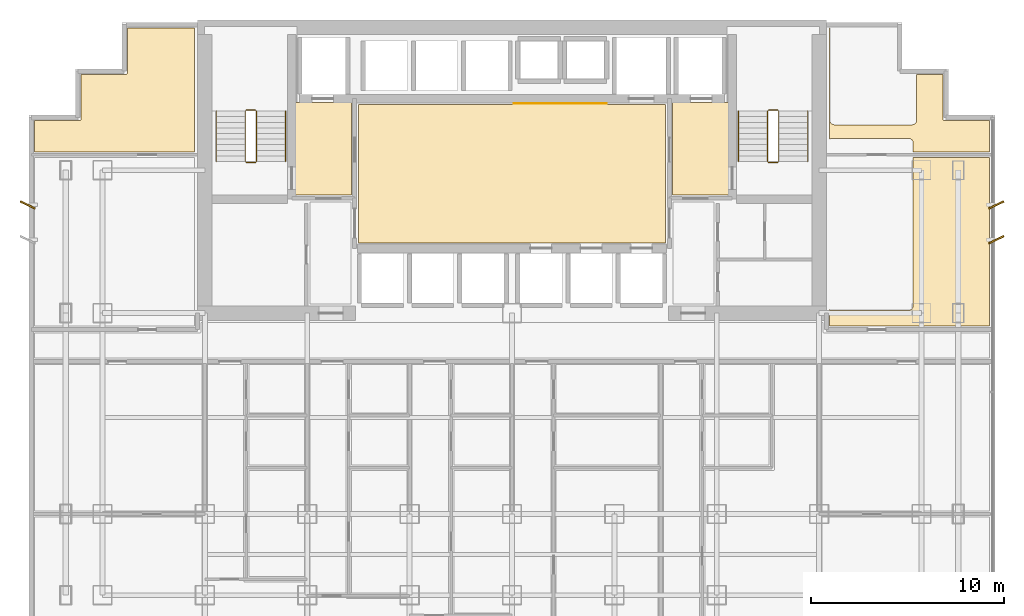
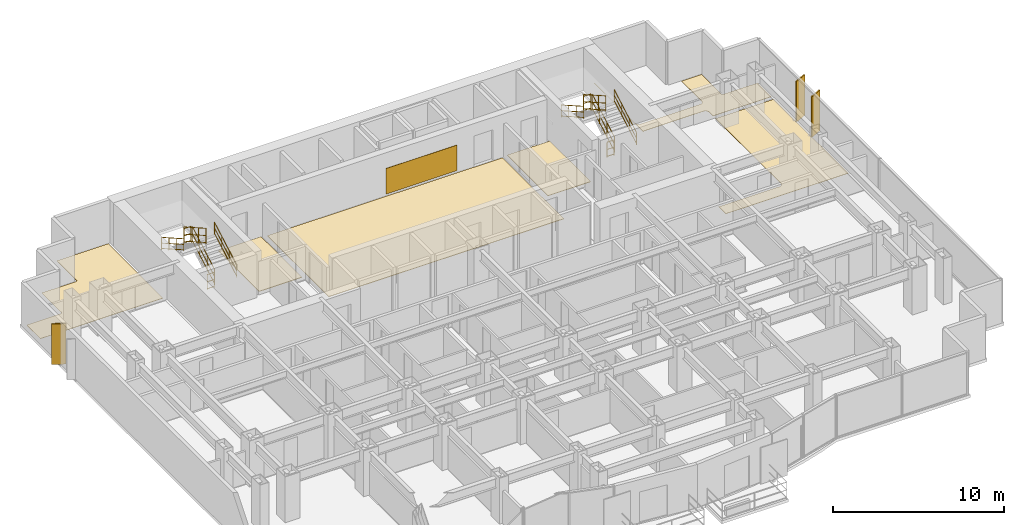
# One storey, part 12 of 12: 12 railings, 7 coverings, 3 shading devices.
"""IFC4 building model written with IfcOpenShell, lengths in metres."""

import ifcopenshell
import ifcopenshell.guid

model = None  # the IFC model being written
_history = None  # IfcOwnerHistory: only IFC2X3 demands one
_inside = {}  # id of a spatial element -> (the spatial element, [elements in it])
_under = {}  # id of a project, library or spatial element -> (it, [spatial elements below it])
_declared = {}  # id of a project -> (the project, [libraries it declares])
_typed = {}  # id of a type object -> (the type object, [elements of that type])
_made_of = {}  # id of a material, layer set ... -> (it, [elements and type objects made of it])


def new_model(schema):
    """Start an empty IFC model of exactly this schema.

    Asked for "IFC4X3", IfcOpenShell would pick the latest addendum, in which some entities
    have other attributes; the version numbers below select the first issue.
    IFC2X3 requires an IfcOwnerHistory on every rooted entity: one is made here for all.
    """
    global model, _history
    if schema == "IFC4X3":
        model = ifcopenshell.file(schema_version=(4, 3, 0, 0))
    else:
        model = ifcopenshell.file(schema=schema)
    _inside.clear()
    _under.clear()
    _declared.clear()
    _typed.clear()
    _made_of.clear()
    _history = None
    if model.schema == "IFC2X3":
        org = make("IfcOrganization", Name="unknown")
        user = make(
            "IfcPersonAndOrganization",
            ThePerson=make("IfcPerson", FamilyName="unknown"),
            TheOrganization=org,
        )
        app = make(
            "IfcApplication",
            ApplicationDeveloper=org,
            Version="unknown",
            ApplicationFullName="unknown",
            ApplicationIdentifier="unknown",
        )
        _history = make(
            "IfcOwnerHistory",
            OwningUser=user,
            OwningApplication=app,
            ChangeAction="ADDED",
            CreationDate=0,
        )
    return model


def make(cls, **values):
    """One entity of the class cls with the attributes given. An attribute that is None is left unset."""
    return model.create_entity(
        cls, **{name: value for name, value in values.items() if value is not None}
    )


def rooted(cls, **values):
    """An entity with a GlobalId (a new one), such as an element, a storey or a relation."""
    return make(cls, GlobalId=ifcopenshell.guid.new(), OwnerHistory=_history, **values)


def si_unit(unit_type, name, prefix=None):
    """IfcSIUnit, for example si_unit("LENGTHUNIT", "METRE", prefix="MILLI")."""
    return make("IfcSIUnit", UnitType=unit_type, Prefix=prefix, Name=name)


def assignment(units):
    """IfcUnitAssignment: the units of a project."""
    return None if units is None else make("IfcUnitAssignment", Units=units)


def point(xyz):
    """IfcCartesianPoint."""
    return None if xyz is None else make("IfcCartesianPoint", Coordinates=xyz)


def direction(xyz):
    """IfcDirection."""
    return None if xyz is None else make("IfcDirection", DirectionRatios=xyz)


def frame(location, z_axis=None, x_axis=None):
    """IfcAxis2Placement3D, a coordinate frame: its origin and axes. An axis left out is left unset."""
    return make(
        "IfcAxis2Placement3D",
        Location=point(location),
        Axis=direction(z_axis),
        RefDirection=direction(x_axis),
    )


def frame_2d(location, x_axis=None):
    """IfcAxis2Placement2D, a coordinate frame in the plane: its origin and x axis."""
    return make(
        "IfcAxis2Placement2D", Location=point(location), RefDirection=direction(x_axis)
    )


def origin():
    """The frame at (0, 0, 0) with its axes left unset."""
    return frame((0.0, 0.0, 0.0))


def origin_2d():
    """The frame at (0, 0) in the plane with its x axis left unset."""
    return frame_2d((0.0, 0.0))


def place(relative_to, where):
    """IfcLocalPlacement: puts the frame where relative to a parent placement (None: the world)."""
    return make(
        "IfcLocalPlacement", PlacementRelTo=relative_to, RelativePlacement=where
    )


def context(
    kind, dimensions, precision=None, world=None, true_north=None, identifier=None
):
    """IfcGeometricRepresentationContext, for example the 3D "Model" context."""
    return make(
        "IfcGeometricRepresentationContext",
        ContextIdentifier=identifier,
        ContextType=kind,
        CoordinateSpaceDimension=dimensions,
        Precision=precision,
        WorldCoordinateSystem=world,
        TrueNorth=true_north,
    )


def subcontext(parent, identifier, kind, view, scale=None):
    """IfcGeometricRepresentationSubContext, for example "Body" below "Model"."""
    return make(
        "IfcGeometricRepresentationSubContext",
        ContextIdentifier=identifier,
        ContextType=kind,
        ParentContext=parent,
        TargetScale=scale,
        TargetView=view,
    )


def project(units=None, contexts=None):
    """IfcProject with its units and contexts."""
    return rooted(
        "IfcProject",
        Name="project",
        RepresentationContexts=contexts,
        UnitsInContext=assignment(units),
    )


def spatial(cls, under=None, at=None, **own):
    """A site, building, storey or space (cls), placed at a placement, below another one or the project."""
    s = rooted(cls, ObjectPlacement=at, **own)
    if under is not None:
        _under.setdefault(under.id(), (under, []))[1].append(s)
    return s


def polyline(points):
    """IfcPolyline through the points."""
    return make("IfcPolyline", Points=[point(p) for p in points])


def profile(cls, at=None, kind="AREA", **sizes):
    """A parametric profile (cls). Its sizes go by their IFC names, for example OverallWidth=200.0."""
    return make(cls, ProfileType=kind, Position=at, **sizes)


def rectangle(**sizes):
    """IfcRectangleProfileDef."""
    return profile("IfcRectangleProfileDef", **sizes)


def circle(**sizes):
    """IfcCircleProfileDef."""
    return profile("IfcCircleProfileDef", **sizes)


def outline(outer, holes=None, kind="AREA"):
    """IfcArbitraryClosedProfileDef: a profile drawn as a closed curve; with holes, ...WithVoids."""
    if holes is None:
        return make("IfcArbitraryClosedProfileDef", ProfileType=kind, OuterCurve=outer)
    return make(
        "IfcArbitraryProfileDefWithVoids",
        ProfileType=kind,
        OuterCurve=outer,
        InnerCurves=holes,
    )


def extrude(swept, where, along, depth):
    """IfcExtrudedAreaSolid: the profile swept, set in the frame where, extruded along a direction by depth."""
    return make(
        "IfcExtrudedAreaSolid",
        SweptArea=swept,
        Position=where,
        ExtrudedDirection=direction(along),
        Depth=depth,
    )


def shape(context_of_items, identifier, shape_type, items):
    """IfcShapeRepresentation: the items that make up one representation, for example the "Body"."""
    return make(
        "IfcShapeRepresentation",
        ContextOfItems=context_of_items,
        RepresentationIdentifier=identifier,
        RepresentationType=shape_type,
        Items=items,
    )


def source(mapping_origin, context_of_items, identifier, shape_type, items):
    """IfcRepresentationMap: a shape defined once, which mapped items show again and again."""
    return make(
        "IfcRepresentationMap",
        MappingOrigin=mapping_origin,
        MappedRepresentation=shape(context_of_items, identifier, shape_type, items),
    )


def transform(
    local_origin,
    x_axis=None,
    y_axis=None,
    z_axis=None,
    scale=None,
    scale2=None,
    scale3=None,
    uniform=True,
):
    """IfcCartesianTransformationOperator3D, or its non-uniform kind. x_axis, y_axis, z_axis: its Axis1, 2, 3."""
    if uniform:
        return make(
            "IfcCartesianTransformationOperator3D",
            Axis1=direction(x_axis),
            Axis2=direction(y_axis),
            LocalOrigin=point(local_origin),
            Scale=scale,
            Axis3=direction(z_axis),
        )
    return make(
        "IfcCartesianTransformationOperator3DnonUniform",
        Axis1=direction(x_axis),
        Axis2=direction(y_axis),
        LocalOrigin=point(local_origin),
        Scale=scale,
        Axis3=direction(z_axis),
        Scale2=scale2,
        Scale3=scale3,
    )


def mapped(mapping_source, mapping_target):
    """IfcMappedItem: shows the shape of a source again, moved by a transform."""
    return make(
        "IfcMappedItem", MappingSource=mapping_source, MappingTarget=mapping_target
    )


def material(Name=None, Category=None):
    """IfcMaterial."""
    return make("IfcMaterial", Name=Name, Category=Category)


def layer(
    of_material, thickness, ventilated=None, Name=None, Category=None, Priority=None
):
    """IfcMaterialLayer: one layer of a wall or slab, of a material (None: an air gap)."""
    return make(
        "IfcMaterialLayer",
        Material=of_material,
        LayerThickness=thickness,
        IsVentilated=ventilated,
        Name=Name,
        Category=Category,
        Priority=Priority,
    )


def layer_set(layers, Name=None):
    """IfcMaterialLayerSet."""
    return make("IfcMaterialLayerSet", MaterialLayers=layers, LayerSetName=Name)


def made_of(thing, what):
    """Note that an element or type object is made of a material, layer set ...; save() writes the relation."""
    if what is not None:
        _made_of.setdefault(what.id(), (what, []))[1].append(thing)
    return thing


def type_object(cls, material=None, **own):
    """A type object (cls), such as IfcWallType, which elements share."""
    return made_of(rooted(cls, **own), material)


def element(
    cls,
    number,
    at=None,
    inside=None,
    cuts=None,
    type_object=None,
    material=None,
    context=None,
    identifier="Body",
    shape_type=None,
    held_by="IfcProductDefinitionShape",
    body=None,
    shapes=None,
    **own,
):
    """One element of the class cls, such as IfcWall. Its Tag is "e" and its number.

    at: its placement. inside: the storey or other place that contains it. cuts: it is an
    opening in that element (IfcRelVoidsElement). A single representation is given by context,
    identifier, shape_type and body (its items); several are given by shapes. held_by: the class
    of the entity that holds the representations. save() writes the other relations.
    """
    e = rooted(cls, Tag="e%d" % number, ObjectPlacement=at, **own)
    if body is not None:
        shapes = [shape(context, identifier, shape_type, body)]
    if shapes is not None:
        e.Representation = make(held_by, Representations=shapes)
    if inside is not None:
        _inside.setdefault(inside.id(), (inside, []))[1].append(e)
    if cuts is not None:
        rooted(
            "IfcRelVoidsElement", RelatingBuildingElement=cuts, RelatedOpeningElement=e
        )
    if type_object is not None:
        _typed.setdefault(type_object.id(), (type_object, []))[1].append(e)
    return made_of(e, material)


def aggregate(whole, parts):
    """IfcRelAggregates: a whole, such as a stair, and the parts it consists of."""
    return rooted("IfcRelAggregates", RelatingObject=whole, RelatedObjects=parts)


def save(model, path):
    """Write the relations noted so far, then the file.

    IfcRelAggregates (storeys below a building ...), IfcRelContainedInSpatialStructure (elements
    in a storey), IfcRelDefinesByType, IfcRelAssociatesMaterial and IfcRelDeclares: one each for
    every whole, place, type object, material and project.
    """
    for whole, parts in _under.values():
        aggregate(whole, parts)
    for where, things in _inside.values():
        rooted(
            "IfcRelContainedInSpatialStructure",
            RelatedElements=things,
            RelatingStructure=where,
        )
    for kind, things in _typed.values():
        rooted("IfcRelDefinesByType", RelatedObjects=things, RelatingType=kind)
    for what, things in _made_of.values():
        rooted("IfcRelAssociatesMaterial", RelatedObjects=things, RelatingMaterial=what)
    for by, libraries in _declared.values():
        rooted("IfcRelDeclares", RelatingContext=by, RelatedDefinitions=libraries)
    model.write(path)


model = new_model("IFC4")

# Units and contexts
model_context = context("Model", 3, precision=1e-05, world=origin(), true_north=direction((0.0, 1.0)))
body_context = subcontext(model_context, "Body", "Model", "MODEL_VIEW")
ifc_project = project(units=[si_unit("LENGTHUNIT", "METRE"), si_unit("AREAUNIT", "SQUARE_METRE"), si_unit("VOLUMEUNIT", "CUBIC_METRE"), si_unit("PLANEANGLEUNIT", "RADIAN"), si_unit("MASSUNIT", "GRAM", prefix="KILO")], contexts=[model_context])

# Site, building, storey
site_placement = place(None, origin())
site = spatial("IfcSite", under=ifc_project, at=site_placement, CompositionType="ELEMENT")
building_placement = place(site_placement, origin())
building = spatial("IfcBuilding", under=site, at=building_placement, Name="Qianlan Lanfeng Residences", CompositionType="ELEMENT")
storey_placement = place(building_placement, frame((0.0, 0.0, 81.699951171875)))
storey = spatial("IfcBuildingStorey", under=building, at=storey_placement, Name="L21", CompositionType="ELEMENT", Elevation=81.699951171875)

# Coverings
ifc_material_1 = material(Name="Anodised Bronze Feature Wall Cladding")
ifc_layer_1 = layer(ifc_material_1, 0.02490234375)
ifc_layer_set_1 = layer_set([ifc_layer_1], Name="Anodised Bronze Feature Wall Cladding")
covering_type_1 = type_object("IfcCoveringType", Name="CLD-BRZ-25", PredefinedType="CLADDING", material=ifc_layer_set_1)
covering_1_placement = place(storey_placement, frame((0.0, 0.0, 0.150146484375)))
element("IfcCovering", 1, at=covering_1_placement, inside=storey, type_object=covering_type_1, Name="L21 Lift Lobby Bronze Feature Cladding", PredefinedType="CLADDING", context=body_context, shape_type="SweptSolid", body=[
    extrude(outline(polyline([(26.60009765625, 36.050048828125), (31.39990234375, 36.050048828125), (31.39990234375, 36.074951171875), (26.60009765625, 36.074951171875), (26.60009765625, 36.050048828125)])), origin(), (0.0, 0.0, 1.0), 1.829833984375),
])
ifc_material_2 = material(Name="Honed Taitung Granite Stone Flooring", Category="masonry")
ifc_layer_2 = layer(ifc_material_2, 0.030029296875)
ifc_layer_set_2 = layer_set([ifc_layer_2], Name="Honed Taitung Granite Stone Flooring")
covering_type_2 = type_object("IfcCoveringType", Name="FLR-STN-30", PredefinedType="FLOORING", material=ifc_layer_set_2)
covering_2_placement = place(storey_placement, origin())
element("IfcCovering", 2, at=covering_2_placement, inside=storey, type_object=covering_type_2, Name="L21 Firefighting Lift Lobby Floor Finish", PredefinedType="FLOORING", context=body_context, shape_type="SweptSolid", body=[
    extrude(outline(polyline([(15.2900390625, 31.320068359375), (18.179931640625, 31.320068359375), (18.179931640625, 36.110107421875), (15.2900390625, 36.110107421875), (15.2900390625, 31.320068359375)])), origin(), (0.0, 0.0, 1.0), 0.030029296875),
])
covering_3_placement = place(storey_placement, origin())
element("IfcCovering", 3, at=covering_3_placement, inside=storey, type_object=covering_type_2, Name="L21 Firefighting Lift Lobby Floor Finish", PredefinedType="FLOORING", context=body_context, shape_type="SweptSolid", body=[
    extrude(outline(polyline([(34.820068359375, 31.320068359375), (37.7099609375, 31.320068359375), (37.7099609375, 36.110107421875), (34.820068359375, 36.110107421875), (34.820068359375, 31.320068359375)])), origin(), (0.0, 0.0, 1.0), 0.030029296875),
])
covering_4_placement = place(storey_placement, origin())
element("IfcCovering", 4, at=covering_4_placement, inside=storey, type_object=covering_type_2, Name="L21 Lift Lobby Floor Finish", PredefinedType="FLOORING", context=body_context, shape_type="SweptSolid", body=[
    extrude(outline(polyline([(18.550048828125, 28.820068359375), (34.449951171875, 28.820068359375), (34.449951171875, 36.010009765625), (18.550048828125, 36.010009765625), (18.550048828125, 28.820068359375)])), origin(), (0.0, 0.0, 1.0), 0.030029296875),
])
ifc_material_3 = material(Name="Engineered Smoked Oak Timber Flooring", Category="wood")
ifc_layer_3 = layer(ifc_material_3, 0.02197265625)
ifc_layer_set_3 = layer_set([ifc_layer_3], Name="Engineered Smoked Oak Timber Flooring")
covering_type_3 = type_object("IfcCoveringType", Name="FLR-TIM-22", PredefinedType="FLOORING", material=ifc_layer_set_3)
covering_5_placement = place(storey_placement, origin())
element("IfcCovering", 5, at=covering_5_placement, inside=storey, type_object=covering_type_3, Name="L21 Resident Lounge Floor Finish", PredefinedType="FLOORING", context=body_context, shape_type="SweptSolid", body=[
    extrude(outline(polyline([(1.7900390625, 33.550048828125), (10.074951171875, 33.550048828125), (10.074951171875, 39.9599609375), (6.590087890625, 39.9599609375), (6.590087890625, 37.6298828125), (6.590087890625, 37.623046875), (6.589111328125, 37.615966796875), (6.5869140625, 37.610107421875), (6.5849609375, 37.60302734375), (6.58203125, 37.596923828125), (6.577880859375, 37.591064453125), (6.573974609375, 37.5859375), (6.569091796875, 37.5810546875), (6.56396484375, 37.575927734375), (6.55908203125, 37.572021484375), (6.552978515625, 37.568115234375), (6.547119140625, 37.56494140625), (6.5400390625, 37.56298828125), (6.533935546875, 37.56103515625), (6.527099609375, 37.56005859375), (6.52001953125, 37.56005859375), (4.18994140625, 37.56005859375), (4.18994140625, 35.22998046875), (4.18994140625, 35.222900390625), (4.18896484375, 35.216064453125), (4.18701171875, 35.2099609375), (4.18505859375, 35.202880859375), (4.181884765625, 35.197021484375), (4.177978515625, 35.19091796875), (4.174072265625, 35.18603515625), (4.1689453125, 35.180908203125), (4.1640625, 35.176025390625), (4.158935546875, 35.172119140625), (4.153076171875, 35.16796875), (4.14697265625, 35.1650390625), (4.139892578125, 35.1630859375), (4.134033203125, 35.160888671875), (4.126953125, 35.159912109375), (4.1201171875, 35.159912109375), (1.7900390625, 35.159912109375), (1.7900390625, 33.550048828125)])), origin(), (0.0, 0.0, 1.0), 0.02197265625),
])
covering_6_placement = place(storey_placement, origin())
element("IfcCovering", 6, at=covering_6_placement, inside=storey, type_object=covering_type_3, Name="L21 Business Meeting Room Floor Finish", PredefinedType="FLOORING", context=body_context, shape_type="SweptSolid", body=[
    extrude(outline(polyline([(51.2099609375, 33.25), (47.27001953125, 33.25), (47.27001953125, 25.60009765625), (47.26904296875, 25.574951171875), (47.264892578125, 25.551025390625), (47.259033203125, 25.527099609375), (47.2509765625, 25.50390625), (47.239990234375, 25.48193359375), (47.22802734375, 25.4609375), (47.212890625, 25.44091796875), (47.197021484375, 25.423095703125), (47.178955078125, 25.406982421875), (47.158935546875, 25.39208984375), (47.137939453125, 25.3798828125), (47.115966796875, 25.368896484375), (47.093017578125, 25.361083984375), (47.069091796875, 25.35498046875), (47.044921875, 25.35107421875), (47.02001953125, 25.35009765625), (43.080078125, 25.35009765625), (43.054931640625, 25.35107421875), (43.031005859375, 25.35498046875), (43.007080078125, 25.361083984375), (42.98388671875, 25.368896484375), (42.9619140625, 25.3798828125), (42.94091796875, 25.39208984375), (42.925048828125, 25.404052734375), (42.925048828125, 24.530029296875), (51.2099609375, 24.530029296875), (51.2099609375, 33.25)])), origin(), (0.0, 0.0, 1.0), 0.02197265625),
])
covering_7_placement = place(storey_placement, origin())
element("IfcCovering", 7, at=covering_7_placement, inside=storey, type_object=covering_type_3, Name="L21 Resident Lounge Floor Finish", PredefinedType="FLOORING", context=body_context, shape_type="SweptSolid", body=[
    extrude(outline(polyline([(42.925048828125, 34.196044921875), (42.94091796875, 34.2080078125), (42.9619140625, 34.219970703125), (42.98388671875, 34.23095703125), (43.007080078125, 34.239013671875), (43.031005859375, 34.2451171875), (43.054931640625, 34.2490234375), (43.080078125, 34.25), (47.02001953125, 34.25), (47.044921875, 34.2490234375), (47.069091796875, 34.2451171875), (47.093017578125, 34.239013671875), (47.115966796875, 34.23095703125), (47.137939453125, 34.219970703125), (47.158935546875, 34.2080078125), (47.178955078125, 34.193115234375), (47.197021484375, 34.177001953125), (47.212890625, 34.158935546875), (47.22802734375, 34.138916015625), (47.239990234375, 34.117919921875), (47.2509765625, 34.095947265625), (47.259033203125, 34.072998046875), (47.264892578125, 34.049072265625), (47.26904296875, 34.02490234375), (47.27001953125, 34.0), (47.27001953125, 33.550048828125), (51.2099609375, 33.550048828125), (51.2099609375, 35.159912109375), (48.8798828125, 35.159912109375), (48.873046875, 35.159912109375), (48.865966796875, 35.160888671875), (48.860107421875, 35.1630859375), (48.85302734375, 35.1650390625), (48.846923828125, 35.16796875), (48.841064453125, 35.172119140625), (48.8359375, 35.176025390625), (48.8310546875, 35.180908203125), (48.825927734375, 35.18603515625), (48.822021484375, 35.19091796875), (48.818115234375, 35.197021484375), (48.81494140625, 35.202880859375), (48.81298828125, 35.2099609375), (48.81103515625, 35.216064453125), (48.81005859375, 35.222900390625), (48.81005859375, 35.22998046875), (48.81005859375, 37.56005859375), (47.449951171875, 37.56005859375), (47.449951171875, 35.199951171875), (47.448974609375, 35.175048828125), (47.445068359375, 35.15087890625), (47.43896484375, 35.126953125), (47.430908203125, 35.10400390625), (47.419921875, 35.08203125), (47.407958984375, 35.06103515625), (47.39306640625, 35.041015625), (47.376953125, 35.02294921875), (47.35888671875, 35.007080078125), (47.339111328125, 34.991943359375), (47.318115234375, 34.97998046875), (47.2958984375, 34.968994140625), (47.27294921875, 34.9609375), (47.2490234375, 34.955078125), (47.22509765625, 34.950927734375), (47.199951171875, 34.949951171875), (43.199951171875, 34.949951171875), (43.175048828125, 34.950927734375), (43.15087890625, 34.955078125), (43.126953125, 34.9609375), (43.10400390625, 34.968994140625), (43.08203125, 34.97998046875), (43.06103515625, 34.991943359375), (43.041015625, 35.007080078125), (43.02294921875, 35.02294921875), (43.007080078125, 35.041015625), (42.991943359375, 35.06103515625), (42.97998046875, 35.08203125), (42.968994140625, 35.10400390625), (42.9609375, 35.126953125), (42.955078125, 35.15087890625), (42.950927734375, 35.175048828125), (42.949951171875, 35.199951171875), (42.949951171875, 39.9599609375), (42.925048828125, 39.9599609375), (42.925048828125, 34.196044921875)])), origin(), (0.0, 0.0, 1.0), 0.02197265625),
])

# Railings
ifc_material_4 = material(Name="Painted Galvanised Steel Guardrail", Category="steel")
railing_type_1 = type_object("IfcRailingType", Name="GR-ST-1120", PredefinedType="GUARDRAIL", material=ifc_material_4)
railing_1_placement = place(storey_placement, frame((13.27001953125, 33.050048828125, 0.1650390625)))
element("IfcRailing", 8, at=railing_1_placement, inside=storey, type_object=railing_type_1, Name="L21 ST-1 stair guard 1", PredefinedType="GUARDRAIL", context=body_context, shape_type="SweptSolid", body=[
    extrude(circle(Radius=0.02392578125, at=origin_2d()), frame((0.0, 0.0, 0.083984375), z_axis=(0.0, 0.869137319866, 0.494570843475), x_axis=(-1.0, 0.0, 0.0)), (0.0, 0.0, 1.0), 3.0029296875),
    extrude(circle(Radius=0.02392578125, at=origin_2d()), frame((0.0, 0.0, 0.58251953125), z_axis=(0.0, 0.869137319866, 0.494570843475), x_axis=(-1.0, 0.0, 0.0)), (0.0, 0.0, 1.0), 3.0029296875),
    extrude(circle(Radius=0.02392578125, at=origin_2d()), frame((0.0, 0.0, 1.09619140625), z_axis=(0.0, 0.869137319866, 0.494570843475), x_axis=(-1.0, 0.0, 0.0)), (0.0, 0.0, 1.0), 3.0029296875),
    extrude(circle(Radius=0.02099609375, at=origin_2d()), origin(), (0.0, 0.0, 1.0), 1.072021484375),
    extrude(circle(Radius=0.02099609375, at=origin_2d()), frame((0.0, 0.869873046875, 0.4951171875)), (0.0, 0.0, 1.0), 1.072021484375),
    extrude(circle(Radius=0.02099609375, at=origin_2d()), frame((0.0, 1.739990234375, 0.989990234375)), (0.0, 0.0, 1.0), 1.072021484375),
    extrude(circle(Radius=0.02099609375, at=origin_2d()), frame((0.0, 2.60986328125, 1.485107421875)), (0.0, 0.0, 1.0), 1.072021484375),
])
railing_2_placement = place(storey_placement, frame((13.219970703125, 35.7099609375, 1.650146484375)))
element("IfcRailing", 9, at=railing_2_placement, inside=storey, type_object=railing_type_1, Name="L21 ST-1 stair guard 2", PredefinedType="GUARDRAIL", context=body_context, shape_type="SweptSolid", body=[
    extrude(circle(Radius=0.02392578125, at=origin_2d()), frame((0.0, 0.0, 0.083984375), z_axis=(-1.0, 0.0, 0.0), x_axis=(0.0, -1.0, 0.0)), (0.0, 0.0, 1.0), 0.47998046875),
    extrude(circle(Radius=0.02392578125, at=origin_2d()), frame((0.0, 0.0, 0.58251953125), z_axis=(-1.0, 0.0, 0.0), x_axis=(0.0, -1.0, 0.0)), (0.0, 0.0, 1.0), 0.47998046875),
    extrude(circle(Radius=0.02392578125, at=origin_2d()), frame((0.0, 0.0, 1.09619140625), z_axis=(-1.0, 0.0, 0.0), x_axis=(0.0, -1.0, 0.0)), (0.0, 0.0, 1.0), 0.47998046875),
    extrude(circle(Radius=0.02099609375, at=origin_2d()), origin(), (0.0, 0.0, 1.0), 1.072021484375),
    extrude(circle(Radius=0.02099609375, at=origin_2d()), frame((-0.47998046875, 0.0, 0.0)), (0.0, 0.0, 1.0), 1.072021484375),
])
railing_3_placement = place(storey_placement, frame((12.68994140625, 35.659912109375, 1.81494140625)))
element("IfcRailing", 10, at=railing_3_placement, inside=storey, type_object=railing_type_1, Name="L21 ST-1 stair guard 3", PredefinedType="GUARDRAIL", context=body_context, shape_type="SweptSolid", body=[
    extrude(circle(Radius=0.02392578125, at=origin_2d()), frame((0.0, 0.0, 0.083984375), z_axis=(0.0, -0.869137319866, 0.494570843475), x_axis=(1.0, 0.0, 0.0)), (0.0, 0.0, 1.0), 3.0029296875),
    extrude(circle(Radius=0.02392578125, at=origin_2d()), frame((0.0, 0.0, 0.58251953125), z_axis=(0.0, -0.869137319866, 0.494570843475), x_axis=(1.0, 0.0, 0.0)), (0.0, 0.0, 1.0), 3.0029296875),
    extrude(circle(Radius=0.02392578125, at=origin_2d()), frame((0.0, 0.0, 1.09619140625), z_axis=(0.0, -0.869137319866, 0.494570843475), x_axis=(1.0, 0.0, 0.0)), (0.0, 0.0, 1.0), 3.0029296875),
    extrude(circle(Radius=0.02099609375, at=origin_2d()), origin(), (0.0, 0.0, 1.0), 1.072021484375),
    extrude(circle(Radius=0.02099609375, at=origin_2d()), frame((0.0, -0.869873046875, 0.4951171875)), (0.0, 0.0, 1.0), 1.072021484375),
    extrude(circle(Radius=0.02099609375, at=origin_2d()), frame((0.0, -1.739990234375, 0.989990234375)), (0.0, 0.0, 1.0), 1.072021484375),
    extrude(circle(Radius=0.02099609375, at=origin_2d()), frame((0.0, -2.60986328125, 1.485107421875)), (0.0, 0.0, 1.0), 1.072021484375),
])
railing_4_placement = place(storey_placement, frame((13.219970703125, 33.0, 0.0)))
element("IfcRailing", 11, at=railing_4_placement, inside=storey, type_object=railing_type_1, Name="L21 ST-1 stair guard 4", PredefinedType="GUARDRAIL", context=body_context, shape_type="SweptSolid", body=[
    extrude(circle(Radius=0.02392578125, at=origin_2d()), frame((0.0, 0.0, 0.083984375), z_axis=(-1.0, 0.0, 0.0), x_axis=(0.0, -1.0, 0.0)), (0.0, 0.0, 1.0), 0.47998046875),
    extrude(circle(Radius=0.02392578125, at=origin_2d()), frame((0.0, 0.0, 0.58251953125), z_axis=(-1.0, 0.0, 0.0), x_axis=(0.0, -1.0, 0.0)), (0.0, 0.0, 1.0), 0.47998046875),
    extrude(circle(Radius=0.02392578125, at=origin_2d()), frame((0.0, 0.0, 1.09619140625), z_axis=(-1.0, 0.0, 0.0), x_axis=(0.0, -1.0, 0.0)), (0.0, 0.0, 1.0), 0.47998046875),
    extrude(circle(Radius=0.02099609375, at=origin_2d()), origin(), (0.0, 0.0, 1.0), 1.072021484375),
    extrude(circle(Radius=0.02099609375, at=origin_2d()), frame((-0.47998046875, 0.0, 0.0)), (0.0, 0.0, 1.0), 1.072021484375),
])
railing_5_placement = place(storey_placement, frame((40.31005859375, 33.050048828125, 0.1650390625)))
element("IfcRailing", 12, at=railing_5_placement, inside=storey, type_object=railing_type_1, Name="L21 ST-2 stair guard 1", PredefinedType="GUARDRAIL", context=body_context, shape_type="SweptSolid", body=[
    extrude(circle(Radius=0.02392578125, at=origin_2d()), frame((0.0, 0.0, 0.083984375), z_axis=(0.0, 0.869137319866, 0.494570843475), x_axis=(-1.0, 0.0, 0.0)), (0.0, 0.0, 1.0), 3.0029296875),
    extrude(circle(Radius=0.02392578125, at=origin_2d()), frame((0.0, 0.0, 0.58251953125), z_axis=(0.0, 0.869137319866, 0.494570843475), x_axis=(-1.0, 0.0, 0.0)), (0.0, 0.0, 1.0), 3.0029296875),
    extrude(circle(Radius=0.02392578125, at=origin_2d()), frame((0.0, 0.0, 1.09619140625), z_axis=(0.0, 0.869137319866, 0.494570843475), x_axis=(-1.0, 0.0, 0.0)), (0.0, 0.0, 1.0), 3.0029296875),
    extrude(circle(Radius=0.02099609375, at=origin_2d()), origin(), (0.0, 0.0, 1.0), 1.072021484375),
    extrude(circle(Radius=0.02099609375, at=origin_2d()), frame((0.0, 0.869873046875, 0.4951171875)), (0.0, 0.0, 1.0), 1.072021484375),
    extrude(circle(Radius=0.02099609375, at=origin_2d()), frame((0.0, 1.739990234375, 0.989990234375)), (0.0, 0.0, 1.0), 1.072021484375),
    extrude(circle(Radius=0.02099609375, at=origin_2d()), frame((0.0, 2.60986328125, 1.485107421875)), (0.0, 0.0, 1.0), 1.072021484375),
])
railing_6_placement = place(storey_placement, frame((40.260009765625, 35.7099609375, 1.650146484375)))
element("IfcRailing", 13, at=railing_6_placement, inside=storey, type_object=railing_type_1, Name="L21 ST-2 stair guard 2", PredefinedType="GUARDRAIL", context=body_context, shape_type="SweptSolid", body=[
    extrude(circle(Radius=0.02392578125, at=origin_2d()), frame((0.0, 0.0, 0.083984375), z_axis=(-1.0, 0.0, 0.0), x_axis=(0.0, -1.0, 0.0)), (0.0, 0.0, 1.0), 0.47998046875),
    extrude(circle(Radius=0.02392578125, at=origin_2d()), frame((0.0, 0.0, 0.58251953125), z_axis=(-1.0, 0.0, 0.0), x_axis=(0.0, -1.0, 0.0)), (0.0, 0.0, 1.0), 0.47998046875),
    extrude(circle(Radius=0.02392578125, at=origin_2d()), frame((0.0, 0.0, 1.09619140625), z_axis=(-1.0, 0.0, 0.0), x_axis=(0.0, -1.0, 0.0)), (0.0, 0.0, 1.0), 0.47998046875),
    extrude(circle(Radius=0.02099609375, at=origin_2d()), origin(), (0.0, 0.0, 1.0), 1.072021484375),
    extrude(circle(Radius=0.02099609375, at=origin_2d()), frame((-0.47998046875, 0.0, 0.0)), (0.0, 0.0, 1.0), 1.072021484375),
])
railing_7_placement = place(storey_placement, frame((39.72998046875, 35.659912109375, 1.81494140625)))
element("IfcRailing", 14, at=railing_7_placement, inside=storey, type_object=railing_type_1, Name="L21 ST-2 stair guard 3", PredefinedType="GUARDRAIL", context=body_context, shape_type="SweptSolid", body=[
    extrude(circle(Radius=0.02392578125, at=origin_2d()), frame((0.0, 0.0, 0.083984375), z_axis=(0.0, -0.869137319866, 0.494570843475), x_axis=(1.0, 0.0, 0.0)), (0.0, 0.0, 1.0), 3.0029296875),
    extrude(circle(Radius=0.02392578125, at=origin_2d()), frame((0.0, 0.0, 0.58251953125), z_axis=(0.0, -0.869137319866, 0.494570843475), x_axis=(1.0, 0.0, 0.0)), (0.0, 0.0, 1.0), 3.0029296875),
    extrude(circle(Radius=0.02392578125, at=origin_2d()), frame((0.0, 0.0, 1.09619140625), z_axis=(0.0, -0.869137319866, 0.494570843475), x_axis=(1.0, 0.0, 0.0)), (0.0, 0.0, 1.0), 3.0029296875),
    extrude(circle(Radius=0.02099609375, at=origin_2d()), origin(), (0.0, 0.0, 1.0), 1.072021484375),
    extrude(circle(Radius=0.02099609375, at=origin_2d()), frame((0.0, -0.869873046875, 0.4951171875)), (0.0, 0.0, 1.0), 1.072021484375),
    extrude(circle(Radius=0.02099609375, at=origin_2d()), frame((0.0, -1.739990234375, 0.989990234375)), (0.0, 0.0, 1.0), 1.072021484375),
    extrude(circle(Radius=0.02099609375, at=origin_2d()), frame((0.0, -2.60986328125, 1.485107421875)), (0.0, 0.0, 1.0), 1.072021484375),
])
railing_8_placement = place(storey_placement, frame((40.260009765625, 33.0, 0.0)))
element("IfcRailing", 15, at=railing_8_placement, inside=storey, type_object=railing_type_1, Name="L21 ST-2 stair guard 4", PredefinedType="GUARDRAIL", context=body_context, shape_type="SweptSolid", body=[
    extrude(circle(Radius=0.02392578125, at=origin_2d()), frame((0.0, 0.0, 0.083984375), z_axis=(-1.0, 0.0, 0.0), x_axis=(0.0, -1.0, 0.0)), (0.0, 0.0, 1.0), 0.47998046875),
    extrude(circle(Radius=0.02392578125, at=origin_2d()), frame((0.0, 0.0, 0.58251953125), z_axis=(-1.0, 0.0, 0.0), x_axis=(0.0, -1.0, 0.0)), (0.0, 0.0, 1.0), 0.47998046875),
    extrude(circle(Radius=0.02392578125, at=origin_2d()), frame((0.0, 0.0, 1.09619140625), z_axis=(-1.0, 0.0, 0.0), x_axis=(0.0, -1.0, 0.0)), (0.0, 0.0, 1.0), 0.47998046875),
    extrude(circle(Radius=0.02099609375, at=origin_2d()), origin(), (0.0, 0.0, 1.0), 1.072021484375),
    extrude(circle(Radius=0.02099609375, at=origin_2d()), frame((-0.47998046875, 0.0, 0.0)), (0.0, 0.0, 1.0), 1.072021484375),
])
ifc_material_5 = material(Name="Brushed Stainless Steel Handrail", Category="steel")
railing_type_2 = type_object("IfcRailingType", Name="HR-ST-920", PredefinedType="HANDRAIL", material=ifc_material_5)
railing_9_placement = place(storey_placement, frame((14.77001953125, 33.050048828125, 0.1650390625)))
element("IfcRailing", 16, at=railing_9_placement, inside=storey, type_object=railing_type_2, Name="L21 ST-1 stair handrail 1", PredefinedType="HANDRAIL", context=body_context, shape_type="SweptSolid", body=[
    extrude(circle(Radius=0.02392578125, at=origin_2d()), frame((0.0, 0.0, 0.083984375), z_axis=(0.0, 0.869137319866, 0.494570843475), x_axis=(-1.0, 0.0, 0.0)), (0.0, 0.0, 1.0), 3.0029296875),
    extrude(circle(Radius=0.02392578125, at=origin_2d()), frame((0.0, 0.0, 0.468017578125), z_axis=(0.0, 0.869137319866, 0.494570843475), x_axis=(-1.0, 0.0, 0.0)), (0.0, 0.0, 1.0), 3.0029296875),
    extrude(circle(Radius=0.02392578125, at=origin_2d()), frame((0.0, 0.0, 0.8759765625), z_axis=(0.0, 0.869137319866, 0.494570843475), x_axis=(-1.0, 0.0, 0.0)), (0.0, 0.0, 1.0), 3.0029296875),
    extrude(circle(Radius=0.02099609375, at=origin_2d()), origin(), (0.0, 0.0, 1.0), 0.851806640625),
    extrude(circle(Radius=0.02099609375, at=origin_2d()), frame((0.0, 0.869873046875, 0.4951171875)), (0.0, 0.0, 1.0), 0.851806640625),
    extrude(circle(Radius=0.02099609375, at=origin_2d()), frame((0.0, 1.739990234375, 0.989990234375)), (0.0, 0.0, 1.0), 0.851806640625),
    extrude(circle(Radius=0.02099609375, at=origin_2d()), frame((0.0, 2.60986328125, 1.485107421875)), (0.0, 0.0, 1.0), 0.851806640625),
])
railing_10_placement = place(storey_placement, frame((11.18994140625, 35.659912109375, 1.81494140625)))
element("IfcRailing", 17, at=railing_10_placement, inside=storey, type_object=railing_type_2, Name="L21 ST-1 stair handrail 2", PredefinedType="HANDRAIL", context=body_context, shape_type="SweptSolid", body=[
    extrude(circle(Radius=0.02392578125, at=origin_2d()), frame((0.0, 0.0, 0.083984375), z_axis=(0.0, -0.869137319866, 0.494570843475), x_axis=(1.0, 0.0, 0.0)), (0.0, 0.0, 1.0), 3.0029296875),
    extrude(circle(Radius=0.02392578125, at=origin_2d()), frame((0.0, 0.0, 0.468017578125), z_axis=(0.0, -0.869137319866, 0.494570843475), x_axis=(1.0, 0.0, 0.0)), (0.0, 0.0, 1.0), 3.0029296875),
    extrude(circle(Radius=0.02392578125, at=origin_2d()), frame((0.0, 0.0, 0.8759765625), z_axis=(0.0, -0.869137319866, 0.494570843475), x_axis=(1.0, 0.0, 0.0)), (0.0, 0.0, 1.0), 3.0029296875),
    extrude(circle(Radius=0.02099609375, at=origin_2d()), origin(), (0.0, 0.0, 1.0), 0.851806640625),
    extrude(circle(Radius=0.02099609375, at=origin_2d()), frame((0.0, -0.869873046875, 0.4951171875)), (0.0, 0.0, 1.0), 0.851806640625),
    extrude(circle(Radius=0.02099609375, at=origin_2d()), frame((0.0, -1.739990234375, 0.989990234375)), (0.0, 0.0, 1.0), 0.851806640625),
    extrude(circle(Radius=0.02099609375, at=origin_2d()), frame((0.0, -2.60986328125, 1.485107421875)), (0.0, 0.0, 1.0), 0.851806640625),
])
railing_11_placement = place(storey_placement, frame((41.81005859375, 33.050048828125, 0.1650390625)))
element("IfcRailing", 18, at=railing_11_placement, inside=storey, type_object=railing_type_2, Name="L21 ST-2 stair handrail 1", PredefinedType="HANDRAIL", context=body_context, shape_type="SweptSolid", body=[
    extrude(circle(Radius=0.02392578125, at=origin_2d()), frame((0.0, 0.0, 0.083984375), z_axis=(0.0, 0.869137319866, 0.494570843475), x_axis=(-1.0, 0.0, 0.0)), (0.0, 0.0, 1.0), 3.0029296875),
    extrude(circle(Radius=0.02392578125, at=origin_2d()), frame((0.0, 0.0, 0.468017578125), z_axis=(0.0, 0.869137319866, 0.494570843475), x_axis=(-1.0, 0.0, 0.0)), (0.0, 0.0, 1.0), 3.0029296875),
    extrude(circle(Radius=0.02392578125, at=origin_2d()), frame((0.0, 0.0, 0.8759765625), z_axis=(0.0, 0.869137319866, 0.494570843475), x_axis=(-1.0, 0.0, 0.0)), (0.0, 0.0, 1.0), 3.0029296875),
    extrude(circle(Radius=0.02099609375, at=origin_2d()), origin(), (0.0, 0.0, 1.0), 0.851806640625),
    extrude(circle(Radius=0.02099609375, at=origin_2d()), frame((0.0, 0.869873046875, 0.4951171875)), (0.0, 0.0, 1.0), 0.851806640625),
    extrude(circle(Radius=0.02099609375, at=origin_2d()), frame((0.0, 1.739990234375, 0.989990234375)), (0.0, 0.0, 1.0), 0.851806640625),
    extrude(circle(Radius=0.02099609375, at=origin_2d()), frame((0.0, 2.60986328125, 1.485107421875)), (0.0, 0.0, 1.0), 0.851806640625),
])
railing_12_placement = place(storey_placement, frame((38.22998046875, 35.659912109375, 1.81494140625)))
element("IfcRailing", 19, at=railing_12_placement, inside=storey, type_object=railing_type_2, Name="L21 ST-2 stair handrail 2", PredefinedType="HANDRAIL", context=body_context, shape_type="SweptSolid", body=[
    extrude(circle(Radius=0.02392578125, at=origin_2d()), frame((0.0, 0.0, 0.083984375), z_axis=(0.0, -0.869137319866, 0.494570843475), x_axis=(1.0, 0.0, 0.0)), (0.0, 0.0, 1.0), 3.0029296875),
    extrude(circle(Radius=0.02392578125, at=origin_2d()), frame((0.0, 0.0, 0.468017578125), z_axis=(0.0, -0.869137319866, 0.494570843475), x_axis=(1.0, 0.0, 0.0)), (0.0, 0.0, 1.0), 3.0029296875),
    extrude(circle(Radius=0.02392578125, at=origin_2d()), frame((0.0, 0.0, 0.8759765625), z_axis=(0.0, -0.869137319866, 0.494570843475), x_axis=(1.0, 0.0, 0.0)), (0.0, 0.0, 1.0), 3.0029296875),
    extrude(circle(Radius=0.02099609375, at=origin_2d()), origin(), (0.0, 0.0, 1.0), 0.851806640625),
    extrude(circle(Radius=0.02099609375, at=origin_2d()), frame((0.0, -0.869873046875, 0.4951171875)), (0.0, 0.0, 1.0), 0.851806640625),
    extrude(circle(Radius=0.02099609375, at=origin_2d()), frame((0.0, -1.739990234375, 0.989990234375)), (0.0, 0.0, 1.0), 0.851806640625),
    extrude(circle(Radius=0.02099609375, at=origin_2d()), frame((0.0, -2.60986328125, 1.485107421875)), (0.0, 0.0, 1.0), 0.851806640625),
])

# Shading devices
ifc_material_6 = material(Name="Anodised Bronze Aluminium Solar Fin", Category="aluminium")
shading_device_type = type_object("IfcShadingDeviceType", Name="FIN-BRZ-850", PredefinedType="SHUTTER", material=ifc_material_6)
shared_shape = source(origin(), body_context, "Body", "SweptSolid", [
    extrude(rectangle(XDim=0.85009765625, YDim=0.080078125, at=origin_2d()), origin(), (0.0, 0.0, 1.0), 2.89990234375),
])
for number, where, z_axis, x_axis, name in (
    (20, (1.429931640625, 30.800048828125, 0.0), (0.0, 0.0, 1.0), (0.898794046299, -0.438371146789, 0.0), "L21 Raked Bronze Solar Fin W2"),
    (21, (51.570068359375, 29.0, 0.0), (0.0, 0.0, 1.0), (0.898794046299, 0.438371146789, 0.0), "L21 Raked Bronze Solar Fin E1"),
    (22, (51.570068359375, 30.800048828125, 0.0), (0.0, 0.0, 1.0), (0.898794046299, 0.438371146789, 0.0), "L21 Raked Bronze Solar Fin E2"),
):
    element("IfcShadingDevice", number, at=place(storey_placement, frame(where, z_axis=z_axis, x_axis=x_axis)), inside=storey, type_object=shading_device_type, Name=name, PredefinedType="SHUTTER", context=body_context, shape_type="MappedRepresentation", body=[
        mapped(shared_shape, transform((0.0, 0.0, 0.0), scale=1.0)),
    ])

save(model, "model.ifc")
